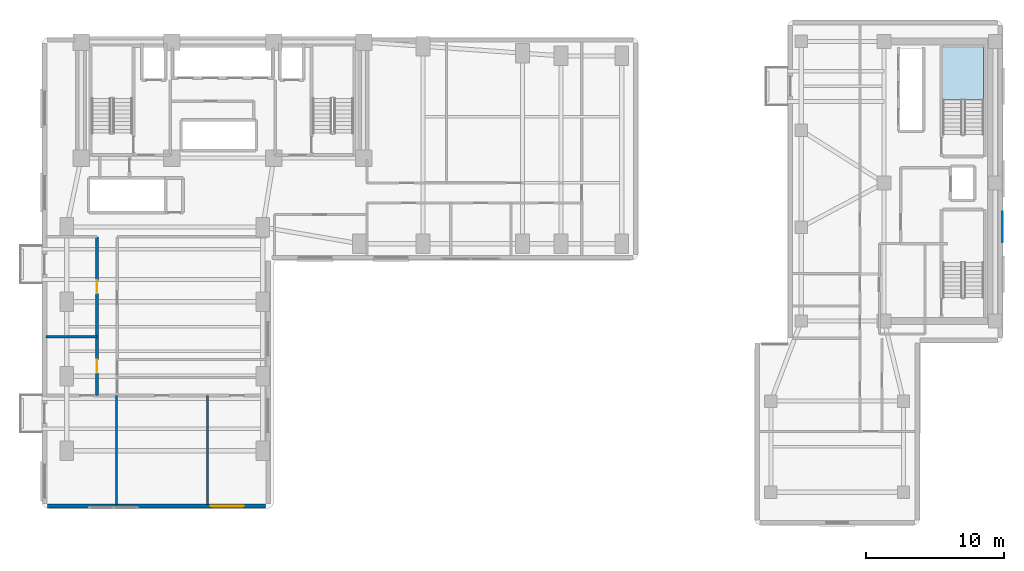
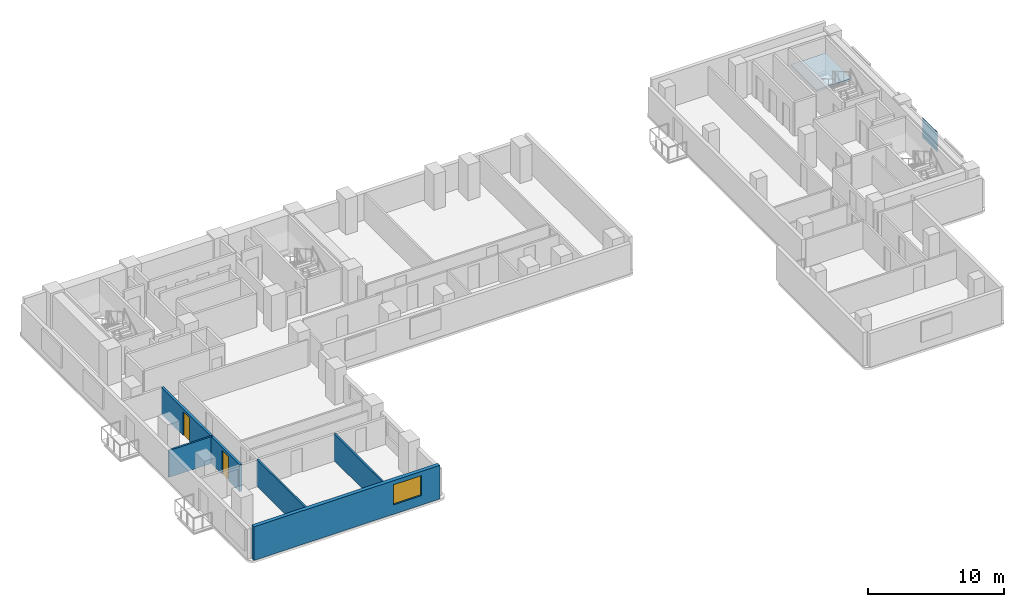
# One storey, part 8 of 15: 5 walls, 2 doors, 1 plate, 1 slab, 1 window, 3 openings, 1 element without a shape of its own.
"""IFC4 building model written with IfcOpenShell, lengths in metres."""

import ifcopenshell
import ifcopenshell.guid

model = None  # the IFC model being written
_history = None  # IfcOwnerHistory: only IFC2X3 demands one
_inside = {}  # id of a spatial element -> (the spatial element, [elements in it])
_under = {}  # id of a project, library or spatial element -> (it, [spatial elements below it])
_declared = {}  # id of a project -> (the project, [libraries it declares])
_typed = {}  # id of a type object -> (the type object, [elements of that type])
_made_of = {}  # id of a material, layer set ... -> (it, [elements and type objects made of it])


def new_model(schema):
    """Start an empty IFC model of exactly this schema.

    Asked for "IFC4X3", IfcOpenShell would pick the latest addendum, in which some entities
    have other attributes; the version numbers below select the first issue.
    IFC2X3 requires an IfcOwnerHistory on every rooted entity: one is made here for all.
    """
    global model, _history
    if schema == "IFC4X3":
        model = ifcopenshell.file(schema_version=(4, 3, 0, 0))
    else:
        model = ifcopenshell.file(schema=schema)
    _inside.clear()
    _under.clear()
    _declared.clear()
    _typed.clear()
    _made_of.clear()
    _history = None
    if model.schema == "IFC2X3":
        org = make("IfcOrganization", Name="unknown")
        user = make(
            "IfcPersonAndOrganization",
            ThePerson=make("IfcPerson", FamilyName="unknown"),
            TheOrganization=org,
        )
        app = make(
            "IfcApplication",
            ApplicationDeveloper=org,
            Version="unknown",
            ApplicationFullName="unknown",
            ApplicationIdentifier="unknown",
        )
        _history = make(
            "IfcOwnerHistory",
            OwningUser=user,
            OwningApplication=app,
            ChangeAction="ADDED",
            CreationDate=0,
        )
    return model


def make(cls, **values):
    """One entity of the class cls with the attributes given. An attribute that is None is left unset."""
    return model.create_entity(
        cls, **{name: value for name, value in values.items() if value is not None}
    )


def rooted(cls, **values):
    """An entity with a GlobalId (a new one), such as an element, a storey or a relation."""
    return make(cls, GlobalId=ifcopenshell.guid.new(), OwnerHistory=_history, **values)


def si_unit(unit_type, name, prefix=None):
    """IfcSIUnit, for example si_unit("LENGTHUNIT", "METRE", prefix="MILLI")."""
    return make("IfcSIUnit", UnitType=unit_type, Prefix=prefix, Name=name)


def assignment(units):
    """IfcUnitAssignment: the units of a project."""
    return None if units is None else make("IfcUnitAssignment", Units=units)


def point(xyz):
    """IfcCartesianPoint."""
    return None if xyz is None else make("IfcCartesianPoint", Coordinates=xyz)


def direction(xyz):
    """IfcDirection."""
    return None if xyz is None else make("IfcDirection", DirectionRatios=xyz)


def frame(location, z_axis=None, x_axis=None):
    """IfcAxis2Placement3D, a coordinate frame: its origin and axes. An axis left out is left unset."""
    return make(
        "IfcAxis2Placement3D",
        Location=point(location),
        Axis=direction(z_axis),
        RefDirection=direction(x_axis),
    )


def frame_2d(location, x_axis=None):
    """IfcAxis2Placement2D, a coordinate frame in the plane: its origin and x axis."""
    return make(
        "IfcAxis2Placement2D", Location=point(location), RefDirection=direction(x_axis)
    )


def origin():
    """The frame at (0, 0, 0) with its axes left unset."""
    return frame((0.0, 0.0, 0.0))


def origin_2d():
    """The frame at (0, 0) in the plane with its x axis left unset."""
    return frame_2d((0.0, 0.0))


def place(relative_to, where):
    """IfcLocalPlacement: puts the frame where relative to a parent placement (None: the world)."""
    return make(
        "IfcLocalPlacement", PlacementRelTo=relative_to, RelativePlacement=where
    )


def context(
    kind, dimensions, precision=None, world=None, true_north=None, identifier=None
):
    """IfcGeometricRepresentationContext, for example the 3D "Model" context."""
    return make(
        "IfcGeometricRepresentationContext",
        ContextIdentifier=identifier,
        ContextType=kind,
        CoordinateSpaceDimension=dimensions,
        Precision=precision,
        WorldCoordinateSystem=world,
        TrueNorth=true_north,
    )


def subcontext(parent, identifier, kind, view, scale=None):
    """IfcGeometricRepresentationSubContext, for example "Body" below "Model"."""
    return make(
        "IfcGeometricRepresentationSubContext",
        ContextIdentifier=identifier,
        ContextType=kind,
        ParentContext=parent,
        TargetScale=scale,
        TargetView=view,
    )


def project(units=None, contexts=None):
    """IfcProject with its units and contexts."""
    return rooted(
        "IfcProject",
        Name="project",
        RepresentationContexts=contexts,
        UnitsInContext=assignment(units),
    )


def spatial(cls, under=None, at=None, **own):
    """A site, building, storey or space (cls), placed at a placement, below another one or the project."""
    s = rooted(cls, ObjectPlacement=at, **own)
    if under is not None:
        _under.setdefault(under.id(), (under, []))[1].append(s)
    return s


def polyline(points):
    """IfcPolyline through the points."""
    return make("IfcPolyline", Points=[point(p) for p in points])


def profile(cls, at=None, kind="AREA", **sizes):
    """A parametric profile (cls). Its sizes go by their IFC names, for example OverallWidth=200.0."""
    return make(cls, ProfileType=kind, Position=at, **sizes)


def rectangle(**sizes):
    """IfcRectangleProfileDef."""
    return profile("IfcRectangleProfileDef", **sizes)


def outline(outer, holes=None, kind="AREA"):
    """IfcArbitraryClosedProfileDef: a profile drawn as a closed curve; with holes, ...WithVoids."""
    if holes is None:
        return make("IfcArbitraryClosedProfileDef", ProfileType=kind, OuterCurve=outer)
    return make(
        "IfcArbitraryProfileDefWithVoids",
        ProfileType=kind,
        OuterCurve=outer,
        InnerCurves=holes,
    )


def extrude(swept, where, along, depth):
    """IfcExtrudedAreaSolid: the profile swept, set in the frame where, extruded along a direction by depth."""
    return make(
        "IfcExtrudedAreaSolid",
        SweptArea=swept,
        Position=where,
        ExtrudedDirection=direction(along),
        Depth=depth,
    )


def shape(context_of_items, identifier, shape_type, items):
    """IfcShapeRepresentation: the items that make up one representation, for example the "Body"."""
    return make(
        "IfcShapeRepresentation",
        ContextOfItems=context_of_items,
        RepresentationIdentifier=identifier,
        RepresentationType=shape_type,
        Items=items,
    )


def material(Name=None, Category=None):
    """IfcMaterial."""
    return make("IfcMaterial", Name=Name, Category=Category)


def layer(
    of_material, thickness, ventilated=None, Name=None, Category=None, Priority=None
):
    """IfcMaterialLayer: one layer of a wall or slab, of a material (None: an air gap)."""
    return make(
        "IfcMaterialLayer",
        Material=of_material,
        LayerThickness=thickness,
        IsVentilated=ventilated,
        Name=Name,
        Category=Category,
        Priority=Priority,
    )


def layer_set(layers, Name=None):
    """IfcMaterialLayerSet."""
    return make("IfcMaterialLayerSet", MaterialLayers=layers, LayerSetName=Name)


def made_of(thing, what):
    """Note that an element or type object is made of a material, layer set ...; save() writes the relation."""
    if what is not None:
        _made_of.setdefault(what.id(), (what, []))[1].append(thing)
    return thing


def type_object(cls, material=None, **own):
    """A type object (cls), such as IfcWallType, which elements share."""
    return made_of(rooted(cls, **own), material)


def element(
    cls,
    number,
    at=None,
    inside=None,
    cuts=None,
    type_object=None,
    material=None,
    context=None,
    identifier="Body",
    shape_type=None,
    held_by="IfcProductDefinitionShape",
    body=None,
    shapes=None,
    **own,
):
    """One element of the class cls, such as IfcWall. Its Tag is "e" and its number.

    at: its placement. inside: the storey or other place that contains it. cuts: it is an
    opening in that element (IfcRelVoidsElement). A single representation is given by context,
    identifier, shape_type and body (its items); several are given by shapes. held_by: the class
    of the entity that holds the representations. save() writes the other relations.
    """
    e = rooted(cls, Tag="e%d" % number, ObjectPlacement=at, **own)
    if body is not None:
        shapes = [shape(context, identifier, shape_type, body)]
    if shapes is not None:
        e.Representation = make(held_by, Representations=shapes)
    if inside is not None:
        _inside.setdefault(inside.id(), (inside, []))[1].append(e)
    if cuts is not None:
        rooted(
            "IfcRelVoidsElement", RelatingBuildingElement=cuts, RelatedOpeningElement=e
        )
    if type_object is not None:
        _typed.setdefault(type_object.id(), (type_object, []))[1].append(e)
    return made_of(e, material)


def fill(opening, filler):
    """IfcRelFillsElement: the door or window that sits in an opening."""
    return rooted(
        "IfcRelFillsElement",
        RelatingOpeningElement=opening,
        RelatedBuildingElement=filler,
    )


def aggregate(whole, parts):
    """IfcRelAggregates: a whole, such as a stair, and the parts it consists of."""
    return rooted("IfcRelAggregates", RelatingObject=whole, RelatedObjects=parts)


def save(model, path):
    """Write the relations noted so far, then the file.

    IfcRelAggregates (storeys below a building ...), IfcRelContainedInSpatialStructure (elements
    in a storey), IfcRelDefinesByType, IfcRelAssociatesMaterial and IfcRelDeclares: one each for
    every whole, place, type object, material and project.
    """
    for whole, parts in _under.values():
        aggregate(whole, parts)
    for where, things in _inside.values():
        rooted(
            "IfcRelContainedInSpatialStructure",
            RelatedElements=things,
            RelatingStructure=where,
        )
    for kind, things in _typed.values():
        rooted("IfcRelDefinesByType", RelatedObjects=things, RelatingType=kind)
    for what, things in _made_of.values():
        rooted("IfcRelAssociatesMaterial", RelatedObjects=things, RelatingMaterial=what)
    for by, libraries in _declared.values():
        rooted("IfcRelDeclares", RelatingContext=by, RelatedDefinitions=libraries)
    model.write(path)


model = new_model("IFC4")

# Units and contexts
model_context = context("Model", 3, precision=1e-05, world=origin(), true_north=direction((0.0, 1.0)))
body_context = subcontext(model_context, "Body", "Model", "MODEL_VIEW")
ifc_project = project(units=[si_unit("LENGTHUNIT", "METRE"), si_unit("AREAUNIT", "SQUARE_METRE"), si_unit("VOLUMEUNIT", "CUBIC_METRE"), si_unit("PLANEANGLEUNIT", "RADIAN"), si_unit("MASSUNIT", "GRAM", prefix="KILO")], contexts=[model_context])

# Site, building, storey
site_placement = place(None, origin())
site = spatial("IfcSite", under=ifc_project, at=site_placement, CompositionType="ELEMENT")
building_placement = place(site_placement, origin())
building = spatial("IfcBuilding", under=site, at=building_placement, Name="Kuzgunbayir Cultural Tower", CompositionType="ELEMENT")
storey_placement = place(building_placement, frame((0.0, 0.0, 59.60009765625)))
storey = spatial("IfcBuildingStorey", under=building, at=storey_placement, Name="L16", CompositionType="ELEMENT", Elevation=59.60009765625)

# Plate
ifc_material_1 = material(Name="Perforated Bronze-Anodised Aluminium", Category="aluminium")
ifc_layer_1 = layer(ifc_material_1, 0.02392578125)
ifc_layer_set_1 = layer_set([ifc_layer_1], Name="Perforated Bronze-Anodised Aluminium")
plate_type = type_object("IfcPlateType", Name="PLT-SOLAR-SCREEN-14", PredefinedType="SHEET", material=ifc_layer_set_1)
plate_placement = place(storey_placement, frame((73.169921875, 28.800048828125, 0.75), z_axis=(0.0, 0.0, 1.0), x_axis=(1.0, 0.0, 0.0)))
element("IfcPlate", 1, at=plate_placement, inside=storey, type_object=plate_type, Name="L16 Companion Perforated Ceramic Solar Screen Panel", PredefinedType="SHEET", context=body_context, shape_type="SweptSolid", body=[
    extrude(rectangle(XDim=0.02392578125, YDim=2.199951171875, at=origin_2d()), origin(), (0.0, 0.0, 1.0), 1.800048828125),
])

# Stair, slab
ifc_material_2 = material(Name="Concrete C40/50", Category="concrete")
stair_type = type_object("IfcStairType", Name="STR-EXIT-CORE", PredefinedType="HALF_TURN_STAIR", material=ifc_material_2)
stair_placement = place(storey_placement, origin())
stair = element("IfcStair", 2, at=stair_placement, inside=storey, type_object=stair_type, Name="L16 ST-4", PredefinedType="HALF_TURN_STAIR")
ifc_layer_2 = layer(ifc_material_2, 0.179931640625)
ifc_layer_set_2 = layer_set([ifc_layer_2], Name="Concrete C40/50")
slab_type = type_object("IfcSlabType", Name="SLB-LANDING-180", PredefinedType="LANDING", material=ifc_layer_set_2)
slab_placement = place(storey_placement, frame((0.0, 0.0, 1.39990234375)))
slab = element("IfcSlab", 3, at=slab_placement, type_object=slab_type, Name="ST-4 landing 1", PredefinedType="LANDING", context=body_context, shape_type="SweptSolid", body=[
    extrude(outline(polyline([(71.800048828125, 38.02001953125), (71.800048828125, 41.800048828125), (68.840087890625, 41.800048828125), (68.840087890625, 38.02001953125), (71.800048828125, 38.02001953125)])), origin(), (0.0, 0.0, 1.0), 0.199951171875),
])
aggregate(stair, [slab])

# Wall, opening, window
ifc_material_3 = material(Name="Travertine Buff Ashlar", Category="masonry")
ifc_layer_3 = layer(ifc_material_3, 0.320068359375)
ifc_layer_set_3 = layer_set([ifc_layer_3], Name="Travertine Buff Ashlar")
wall_type_1 = type_object("IfcWallType", Name="WAL-EXT-STONE-320", PredefinedType="STANDARD", material=ifc_layer_set_3)
wall_1_placement = place(storey_placement, frame((4.0, 8.60009765625, 0.0), z_axis=(0.0, 0.0, 1.0), x_axis=(1.0, 0.0, 0.0)))
wall_1 = element("IfcWall", 4, at=wall_1_placement, inside=storey, type_object=wall_type_1, Name="L16 Wing A South Limestone Wall", PredefinedType="STANDARD", context=body_context, shape_type="SweptSolid", body=[
    extrude(rectangle(XDim=15.800048828125, YDim=0.320068359375, at=frame_2d((7.89990234375, 0.0))), origin(), (0.0, 0.0, 1.0), 3.02001953125),
])
opening_1_placement = place(wall_1_placement, frame((11.830078125, 0.0, 0.85009765625)))
opening_1 = element("IfcOpeningElement", 5, at=opening_1_placement, cuts=wall_1, Name="Opening WO-24", PredefinedType="OPENING", context=body_context, shape_type="SweptSolid", body=[
    extrude(rectangle(XDim=2.39990234375, YDim=1.800048828125, at=frame_2d((1.199951171875, 0.89990234375))), frame((0.0, 0.169921875, 0.0), z_axis=(0.0, -1.0, 0.0), x_axis=(1.0, 0.0, 0.0)), (0.0, 0.0, 1.0), 0.340087890625),
])
ifc_material_4 = material(Name="Solar-Control Triple Glazing", Category="glass")
window_type = type_object("IfcWindowType", Name="WIN-OFFICE-24", PartitioningType="SINGLE_PANEL", PredefinedType="WINDOW", material=ifc_material_4)
window_placement = place(opening_1_placement, origin())
window = element("IfcWindow", 6, at=window_placement, inside=storey, type_object=window_type, Name="L16 WAS Facade Window 6", OverallHeight=1.800048828125, OverallWidth=2.39990234375, PartitioningType="SINGLE_PANEL", PredefinedType="WINDOW", context=body_context, shape_type="SweptSolid", body=[
    extrude(rectangle(XDim=2.39990234375, YDim=1.800048828125, at=frame_2d((1.199951171875, 0.89990234375))), frame((0.0, 0.030029296875, 0.0), z_axis=(0.0, -1.0, 0.0), x_axis=(1.0, 0.0, 0.0)), (0.0, 0.0, 1.0), 0.06005859375),
])
fill(opening_1, window)

# Walls
ifc_material_5 = material(Name="Acoustic Double-Stud Drywall", Category="gypsum")
ifc_layer_4 = layer(ifc_material_5, 0.14990234375)
ifc_layer_set_4 = layer_set([ifc_layer_4], Name="Acoustic Double-Stud Drywall")
wall_type_2 = type_object("IfcWallType", Name="WAL-PART-ACOUSTIC-150", PredefinedType="PARTITIONING", material=ifc_layer_set_4)
wall_2_placement = place(storey_placement, frame((3.89990234375, 20.860107421875, 0.0), z_axis=(0.0, 0.0, 1.0), x_axis=(1.0, 0.0, 0.0)))
element("IfcWall", 7, at=wall_2_placement, inside=storey, type_object=wall_type_2, Name="L16 West Suite Partition 1", PredefinedType="PARTITIONING", context=body_context, shape_type="SweptSolid", body=[
    extrude(rectangle(XDim=3.7001953125, YDim=0.14990234375, at=frame_2d((1.85009765625, 0.0))), origin(), (0.0, 0.0, 1.0), 2.409912109375),
])
for number, where, z_axis, x_axis, name in (
    (8, (9.02001953125, 8.699951171875, 0.0), (0.0, 0.0, 1.0), (0.0, 1.0, 0.0), "L16 South Suite Divider 1"),
    (9, (15.580078125, 8.699951171875, 0.0), (0.0, 0.0, 1.0), (0.0, 1.0, 0.0), "L16 South Suite Divider 2"),
):
    element("IfcWall", number, at=place(storey_placement, frame(where, z_axis=z_axis, x_axis=x_axis)), inside=storey, type_object=wall_type_2, Name=name, PredefinedType="PARTITIONING", context=body_context, shape_type="SweptSolid", body=[
        extrude(rectangle(XDim=7.900146484375, YDim=0.14990234375, at=frame_2d((3.9501953125, 0.0))), origin(), (0.0, 0.0, 1.0), 2.409912109375),
    ])

# Wall, openings, doors
ifc_material_6 = material(Name="Aerated Concrete Blockwork", Category="masonry")
ifc_layer_5 = layer(ifc_material_6, 0.199951171875)
ifc_layer_set_5 = layer_set([ifc_layer_5], Name="Aerated Concrete Blockwork")
wall_type_3 = type_object("IfcWallType", Name="WAL-PART-FIRE-200", PredefinedType="PARTITIONING", material=ifc_layer_set_5)
wall_3_placement = place(storey_placement, frame((7.60009765625, 16.60009765625, 0.0), z_axis=(0.0, 0.0, 1.0), x_axis=(0.0, 1.0, 0.0)))
wall_3 = element("IfcWall", 10, at=wall_3_placement, inside=storey, type_object=wall_type_3, Name="L16 Wing A West Corridor Wall", PredefinedType="PARTITIONING", context=body_context, shape_type="SweptSolid", body=[
    extrude(rectangle(XDim=11.5, YDim=0.199951171875, at=frame_2d((5.75, 0.0))), origin(), (0.0, 0.0, 1.0), 2.409912109375),
])
opening_2_placement = place(wall_3_placement, frame((1.64990234375, 0.0, 0.0)))
opening_2 = element("IfcOpeningElement", 11, at=opening_2_placement, cuts=wall_3, Name="Opening DI-90", PredefinedType="OPENING", context=body_context, shape_type="SweptSolid", body=[
    extrude(rectangle(XDim=0.949951171875, YDim=2.14990234375, at=frame_2d((0.47509765625, 1.074951171875))), frame((0.0, 0.10986328125, 0.0), z_axis=(0.0, -1.0, 0.0), x_axis=(1.0, 0.0, 0.0)), (0.0, 0.0, 1.0), 0.219970703125),
])
opening_3_placement = place(wall_3_placement, frame((7.39990234375, 0.0, 0.0)))
opening_3 = element("IfcOpeningElement", 12, at=opening_3_placement, cuts=wall_3, Name="Opening DI-90", PredefinedType="OPENING", context=body_context, shape_type="SweptSolid", body=[
    extrude(rectangle(XDim=0.949951171875, YDim=2.14990234375, at=frame_2d((0.47509765625, 1.074951171875))), frame((0.0, 0.10986328125, 0.0), z_axis=(0.0, -1.0, 0.0), x_axis=(1.0, 0.0, 0.0)), (0.0, 0.0, 1.0), 0.219970703125),
])
ifc_material_7 = material(Name="Veneered Oak Single Leaf", Category="wood")
door_type = type_object("IfcDoorType", Name="DR-INT-90", OperationType="NOTDEFINED", PredefinedType="DOOR", material=ifc_material_7)
door_1_placement = place(opening_2_placement, origin())
door_1 = element("IfcDoor", 13, at=door_1_placement, inside=storey, type_object=door_type, Name="L16 Culinary Tasting Pantry W1 Door", OperationType="SINGLE_SWING_LEFT", OverallHeight=2.14990234375, OverallWidth=0.949951171875, PredefinedType="DOOR", context=body_context, shape_type="SweptSolid", body=[
    extrude(rectangle(XDim=0.949951171875, YDim=2.14990234375, at=frame_2d((0.47509765625, 1.074951171875))), frame((0.0, 0.02490234375, 0.0), z_axis=(0.0, -1.0, 0.0), x_axis=(1.0, 0.0, 0.0)), (0.0, 0.0, 1.0), 0.050048828125),
])
fill(opening_2, door_1)
door_2_placement = place(opening_3_placement, origin())
door_2 = element("IfcDoor", 14, at=door_2_placement, inside=storey, type_object=door_type, Name="L16 Curatorial Office W2 Door", OperationType="SINGLE_SWING_RIGHT", OverallHeight=2.14990234375, OverallWidth=0.949951171875, PredefinedType="DOOR", context=body_context, shape_type="SweptSolid", body=[
    extrude(rectangle(XDim=0.949951171875, YDim=2.14990234375, at=frame_2d((0.47509765625, 1.074951171875))), frame((0.0, 0.02490234375, 0.0), z_axis=(0.0, -1.0, 0.0), x_axis=(1.0, 0.0, 0.0)), (0.0, 0.0, 1.0), 0.050048828125),
])
fill(opening_3, door_2)

save(model, "model.ifc")
